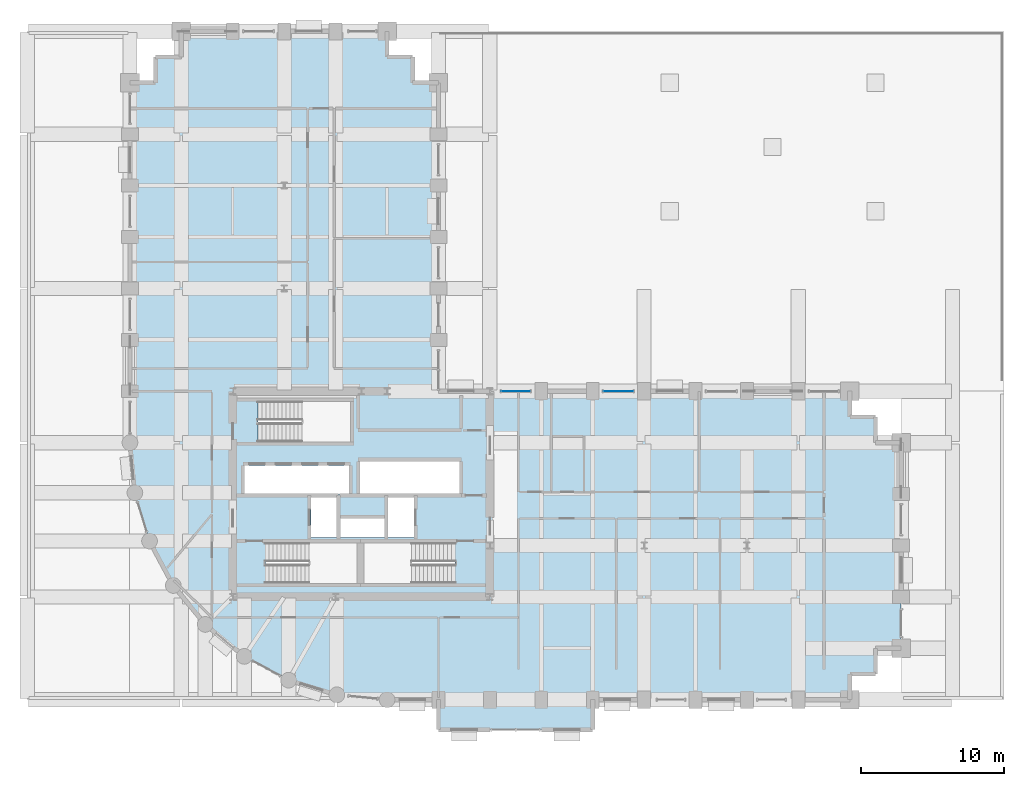
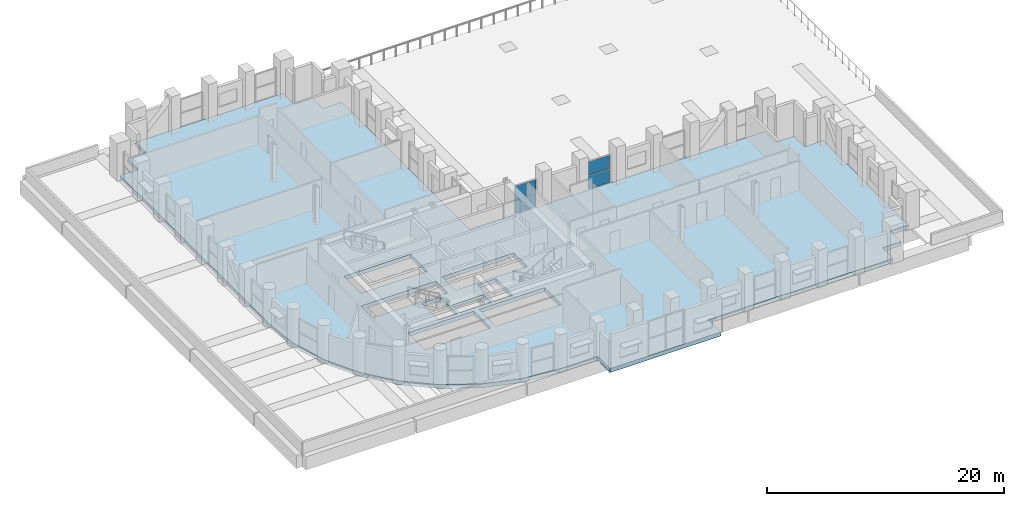
# One storey, part 32 of 39: 4 plates, 1 slab, 2 elements without a shape of their own.
"""IFC4 building model written with IfcOpenShell, lengths in metres."""

from ifc_helpers import new_model, si_unit, direction, frame, origin, origin_2d, place, context, subcontext, project, spatial, polyline, rectangle, outline, extrude, material, layer, layer_set, type_object, element, aggregate, save


model = new_model("IFC4")

# Units and contexts
model_context = context("Model", 3, precision=1e-05, world=origin(), true_north=direction((0.0, 1.0)))
body_context = subcontext(model_context, "Body", "Model", "MODEL_VIEW")
ifc_project = project(units=[si_unit("LENGTHUNIT", "METRE"), si_unit("AREAUNIT", "SQUARE_METRE"), si_unit("VOLUMEUNIT", "CUBIC_METRE"), si_unit("PLANEANGLEUNIT", "RADIAN"), si_unit("MASSUNIT", "GRAM", prefix="KILO")], contexts=[model_context])

# Site, building, storey
site_placement = place(None, origin())
site = spatial("IfcSite", under=ifc_project, at=site_placement, CompositionType="ELEMENT")
building_placement = place(site_placement, origin())
building = spatial("IfcBuilding", under=site, at=building_placement, Name="Solnavia Interchange Tower", CompositionType="ELEMENT")
storey_placement = place(building_placement, frame((0.0, 0.0, 24.0)))
storey = spatial("IfcBuildingStorey", under=building, at=storey_placement, Name="L05", CompositionType="ELEMENT", Elevation=24.0)

# Curtain wall, plates
ifc_material_1 = material(Name="Aluminium Alloy 6063-T6", Category="aluminium")
ifc_layer_1 = layer(ifc_material_1, 0.219970703125)
ifc_layer_set_1 = layer_set([ifc_layer_1], Name="Aluminium Alloy 6063-T6")
curtain_wall_type = type_object("IfcCurtainWallType", Name="CurtainWall-Tower-CTW3", PredefinedType="NOTDEFINED", material=ifc_layer_set_1)
curtain_wall_1_placement = place(storey_placement, origin())
curtain_wall_1 = element("IfcCurtainWall", 1, at=curtain_wall_1_placement, inside=storey, type_object=curtain_wall_type, Name="CTW-L05-S28 CTW-3 curtain wall", PredefinedType="NOTDEFINED")
ifc_material_2 = material(Name="Double-Glazed Low-E IGU Glass", Category="glass")
ifc_layer_2 = layer(ifc_material_2, 0.02587890625)
ifc_layer_set_2 = layer_set([ifc_layer_2], Name="Double-Glazed Low-E IGU Glass")
plate_type = type_object("IfcPlateType", Name="CW-Panel-LowE-26", PredefinedType="CURTAIN_PANEL", material=ifc_layer_set_2)
plate_1_placement = place(storey_placement, frame((41.39990234375, 25.199951171875, 0.06494140625), z_axis=(0.0, 0.0, 1.0), x_axis=(-1.0, 0.0, 0.0)))
plate_1 = element("IfcPlate", 2, at=plate_1_placement, type_object=plate_type, Name="CTW-3 panel 1.1", PredefinedType="CURTAIN_PANEL", context=body_context, shape_type="SweptSolid", body=[
    extrude(rectangle(XDim=2.090087890625, YDim=0.02587890625, at=origin_2d()), origin(), (0.0, 0.0, 1.0), 1.367431640625),
])
plate_2_placement = place(storey_placement, frame((41.39990234375, 25.199951171875, 1.49755859375), z_axis=(0.0, 0.0, 1.0), x_axis=(-1.0, 0.0, 0.0)))
plate_2 = element("IfcPlate", 3, at=plate_2_placement, type_object=plate_type, Name="CTW-3 panel 1.2", PredefinedType="CURTAIN_PANEL", context=body_context, shape_type="SweptSolid", body=[
    extrude(rectangle(XDim=2.090087890625, YDim=0.02587890625, at=origin_2d()), origin(), (0.0, 0.0, 1.0), 1.367431640625),
])
aggregate(curtain_wall_1, [plate_1, plate_2])

curtain_wall_2_placement = place(storey_placement, origin())
curtain_wall_2 = element("IfcCurtainWall", 4, at=curtain_wall_2_placement, inside=storey, type_object=curtain_wall_type, Name="CTW-L05-S30 CTW-3 curtain wall", PredefinedType="NOTDEFINED")
plate_3_placement = place(storey_placement, frame((34.22509765625, 25.199951171875, 0.06494140625), z_axis=(0.0, 0.0, 1.0), x_axis=(-1.0, 0.0, 0.0)))
plate_3 = element("IfcPlate", 5, at=plate_3_placement, type_object=plate_type, Name="CTW-3 panel 1.1", PredefinedType="CURTAIN_PANEL", context=body_context, shape_type="SweptSolid", body=[
    extrude(rectangle(XDim=2.0400390625, YDim=0.02587890625, at=origin_2d()), origin(), (0.0, 0.0, 1.0), 1.367431640625),
])
plate_4_placement = place(storey_placement, frame((34.22509765625, 25.199951171875, 1.49755859375), z_axis=(0.0, 0.0, 1.0), x_axis=(-1.0, 0.0, 0.0)))
plate_4 = element("IfcPlate", 6, at=plate_4_placement, type_object=plate_type, Name="CTW-3 panel 1.2", PredefinedType="CURTAIN_PANEL", context=body_context, shape_type="SweptSolid", body=[
    extrude(rectangle(XDim=2.0400390625, YDim=0.02587890625, at=origin_2d()), origin(), (0.0, 0.0, 1.0), 1.367431640625),
])
aggregate(curtain_wall_2, [plate_3, plate_4])

# Slab
ifc_material_3 = material(Name="Concrete C40/50", Category="concrete")
ifc_layer_3 = layer(ifc_material_3, 0.39990234375)
ifc_layer_set_3 = layer_set([ifc_layer_3], Name="Concrete C40/50")
slab_type = type_object("IfcSlabType", Name="Slab-Transfer-400", PredefinedType="FLOOR", material=ifc_layer_set_3)
slab_placement = place(storey_placement, frame((0.0, 0.0, -0.39990234375)))
element("IfcSlab", 7, at=slab_placement, inside=storey, type_object=slab_type, Name="SLB-L05-01 Structural floor slab", PredefinedType="FLOOR", context=body_context, shape_type="SweptSolid", body=[
    extrude(outline(polyline([(25.199951171875, 3.60009765625), (28.800048828125, 3.60009765625), (28.800048828125, 1.5), (39.60009765625, 1.5), (39.60009765625, 3.60009765625), (57.60009765625, 3.60009765625), (57.60009765625, 5.39990234375), (59.39990234375, 5.39990234375), (59.39990234375, 7.199951171875), (61.199951171875, 7.199951171875), (61.199951171875, 21.60009765625), (59.39990234375, 21.60009765625), (59.39990234375, 23.39990234375), (57.60009765625, 23.39990234375), (57.60009765625, 25.199951171875), (28.800048828125, 25.199951171875), (28.800048828125, 46.800048828125), (27.0, 46.800048828125), (27.0, 48.60009765625), (25.199951171875, 48.60009765625), (25.199951171875, 50.39990234375), (10.800048828125, 50.39990234375), (10.800048828125, 48.60009765625), (9.0, 48.60009765625), (9.0, 46.800048828125), (7.199951171875, 46.800048828125), (7.199951171875, 21.60009765625), (7.5458984375, 18.087890625), (8.570068359375, 14.7119140625), (10.23388671875, 11.60009765625), (12.471923828125, 8.8720703125), (15.199951171875, 6.634033203125), (18.31201171875, 4.969970703125), (21.68798828125, 3.946044921875), (25.199951171875, 3.60009765625)]), holes=[polyline([(16.675048828125, 11.75), (23.10009765625, 11.75), (23.10009765625, 14.590087890625), (16.675048828125, 14.590087890625), (16.675048828125, 11.75)]), polyline([(23.60009765625, 11.75), (29.97509765625, 11.75), (29.97509765625, 14.590087890625), (23.60009765625, 14.590087890625), (23.60009765625, 11.75)]), polyline([(16.175048828125, 21.64990234375), (22.64990234375, 21.64990234375), (22.64990234375, 24.489990234375), (16.175048828125, 24.489990234375), (16.175048828125, 21.64990234375)]), polyline([(19.8798828125, 14.9599609375), (21.679931640625, 14.9599609375), (21.679931640625, 17.780029296875), (19.8798828125, 17.780029296875), (19.8798828125, 14.9599609375)]), polyline([(25.280029296875, 14.9599609375), (27.080078125, 14.9599609375), (27.080078125, 17.780029296875), (25.280029296875, 17.780029296875), (25.280029296875, 14.9599609375)]), polyline([(21.919921875, 14.9599609375), (25.02001953125, 14.9599609375), (25.02001953125, 16.280029296875), (21.919921875, 16.280029296875), (21.919921875, 14.9599609375)]), polyline([(15.219970703125, 18.02001953125), (22.52001953125, 18.02001953125), (22.52001953125, 20.0), (15.219970703125, 20.0), (15.219970703125, 18.02001953125)]), polyline([(23.300048828125, 18.02001953125), (30.280029296875, 18.02001953125), (30.280029296875, 20.300048828125), (23.300048828125, 20.300048828125), (23.300048828125, 18.02001953125)])]), origin(), (0.0, 0.0, 1.0), 0.39990234375),
])

save(model, "model.ifc")
